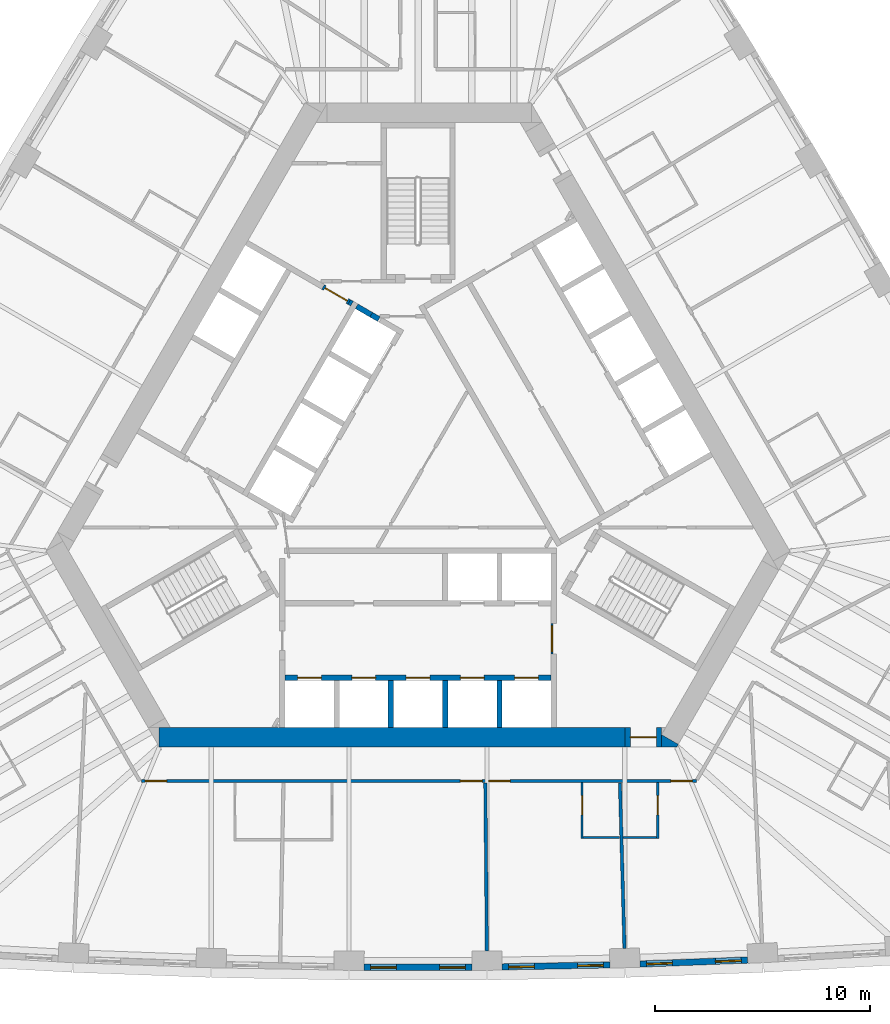
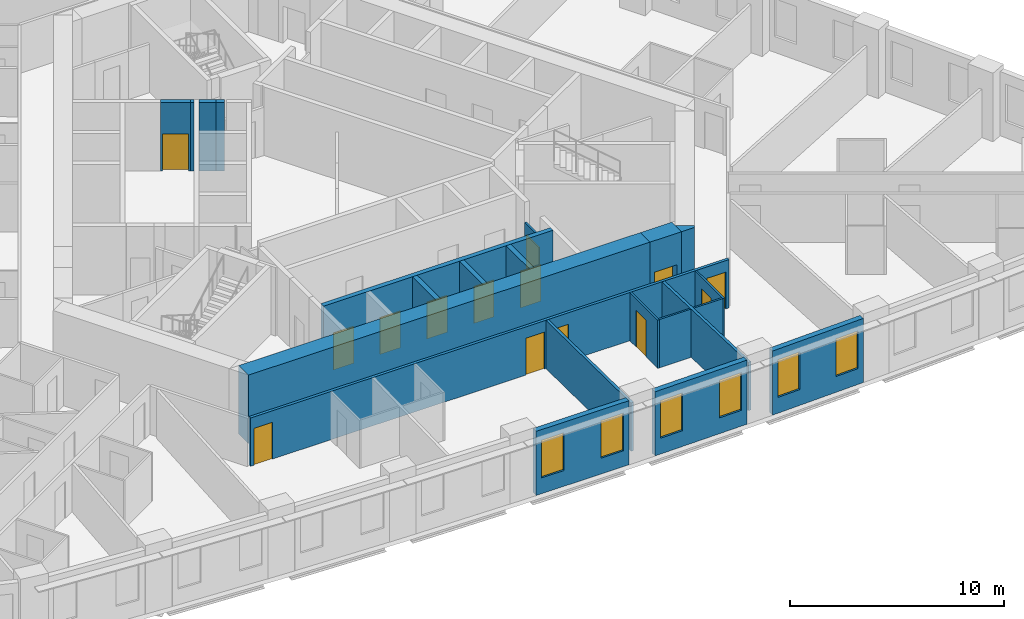
# One storey, part 6 of 13: 22 walls, 14 doors, 6 windows, 20 openings.
"""IFC4 building model written with IfcOpenShell, lengths in metres."""

from ifc_helpers import new_model, si_unit, direction, frame, frame_2d, origin, place, context, subcontext, project, spatial, polyline, rectangle, outline, extrude, material, layer, layer_set, type_object, element, fill, save


model = new_model("IFC4")

# Units and contexts
model_context = context("Model", 3, precision=1e-05, world=origin(), true_north=direction((0.0, 1.0)))
body_context = subcontext(model_context, "Body", "Model", "MODEL_VIEW")
ifc_project = project(units=[si_unit("LENGTHUNIT", "METRE"), si_unit("AREAUNIT", "SQUARE_METRE"), si_unit("VOLUMEUNIT", "CUBIC_METRE"), si_unit("PLANEANGLEUNIT", "RADIAN"), si_unit("MASSUNIT", "GRAM", prefix="KILO")], contexts=[model_context])

# Site, building, storey
site_placement = place(None, origin())
site = spatial("IfcSite", under=ifc_project, at=site_placement, CompositionType="ELEMENT")
building_placement = place(site_placement, origin())
building = spatial("IfcBuilding", under=site, at=building_placement, Name="Mestral Congress Tower", CompositionType="ELEMENT")
storey_placement = place(building_placement, frame((0.0, 0.0, 54.89990234375)))
storey = spatial("IfcBuildingStorey", under=building, at=storey_placement, Name="L12", CompositionType="ELEMENT", Elevation=54.89990234375)

# Wall, opening, door
ifc_material_1 = material(Name="Fire-rated board partition")
ifc_layer_1 = layer(ifc_material_1, 0.090087890625)
ifc_layer_set_1 = layer_set([ifc_layer_1], Name="Fire-rated board partition")
wall_type_1 = type_object("IfcWallType", Name="Core partition 150 door-wall 90", PredefinedType="PARTITIONING", material=ifc_layer_set_1)
wall_1_placement = place(storey_placement, frame((6.219970703125, -7.266357421875, 0.0), z_axis=(0.0, 0.0, 1.0), x_axis=(0.0, -1.0, 0.0)))
wall_1 = element("IfcWall", 1, at=wall_1_placement, inside=storey, type_object=wall_type_1, Name="L12 door wall", PredefinedType="PARTITIONING", context=body_context, shape_type="SweptSolid", body=[
    extrude(rectangle(XDim=1.400146484375, YDim=0.090087890625, at=frame_2d((0.7001953125, 0.0))), origin(), (0.0, 0.0, 1.0), 2.75),
])
opening_1_placement = place(wall_1_placement, frame((0.10009765625, 0.0, 0.0)))
opening_1 = element("IfcOpeningElement", 2, at=opening_1_placement, cuts=wall_1, Name="Opening LB0-WL1", PredefinedType="OPENING", context=body_context, shape_type="SweptSolid", body=[
    extrude(rectangle(XDim=1.199951171875, YDim=2.10009765625, at=frame_2d((0.60009765625, 1.050048828125))), frame((0.0, 0.054931640625, 0.0), z_axis=(0.0, -1.0, 0.0), x_axis=(1.0, 0.0, 0.0)), (0.0, 0.0, 1.0), 0.110107421875),
])
ifc_material_2 = material(Name="Fire-rated steel door set", Category="steel")
door_type_1 = type_object("IfcDoorType", Name="Core door LB 1200x2100", OperationType="SINGLE_SWING_LEFT", PredefinedType="DOOR", material=ifc_material_2)
door_1_placement = place(opening_1_placement, origin())
door_1 = element("IfcDoor", 3, at=door_1_placement, inside=storey, type_object=door_type_1, Name="Door LB0-WL1", OperationType="SINGLE_SWING_LEFT", OverallHeight=2.10009765625, OverallWidth=1.199951171875, PredefinedType="DOOR", context=body_context, shape_type="SweptSolid", body=[
    extrude(rectangle(XDim=1.199951171875, YDim=2.10009765625, at=frame_2d((0.60009765625, 1.050048828125))), frame((0.0, 0.02490234375, 0.0), z_axis=(0.0, -1.0, 0.0), x_axis=(1.0, 0.0, 0.0)), (0.0, 0.0, 1.0), 0.050048828125),
])
fill(opening_1, door_1)

# Walls
ifc_material_3 = material(Name="Concrete C60/75", Category="concrete")
ifc_layer_2 = layer(ifc_material_3, 0.89990234375)
ifc_layer_set_2 = layer_set([ifc_layer_2], Name="Concrete C60/75")
wall_type_2 = type_object("IfcWallType", Name="Core wall RC 900", PredefinedType="SOLIDWALL", material=ifc_layer_set_2)
placement = place(storey_placement, origin())
element("IfcWall", 4, at=placement, inside=storey, type_object=wall_type_2, Name="L12 core wall", PredefinedType="SOLIDWALL", context=body_context, shape_type="SweptSolid", body=[
    extrude(outline(polyline([(12.0087890625, -13.0), (11.31201171875, -13.0), (11.31201171875, -12.425048828125), (12.08349609375, -12.87060546875), (12.0087890625, -13.0)])), origin(), (0.0, 0.0, 1.0), 3.900146484375),
])
wall_3_placement = place(storey_placement, frame((-12.0185546875, -12.550048828125, 0.0), z_axis=(0.0, 0.0, 1.0), x_axis=(1.0, 0.0, 0.0)))
element("IfcWall", 5, at=wall_3_placement, inside=storey, type_object=wall_type_2, Name="L12 core wall", PredefinedType="SOLIDWALL", context=body_context, shape_type="SweptSolid", body=[
    extrude(rectangle(XDim=21.63037109375, YDim=0.89990234375, at=frame_2d((10.815185546875, 0.0))), origin(), (0.0, 0.0, 1.0), 3.900146484375),
])

# Wall, opening, door
wall_4_placement = place(storey_placement, frame((11.311767578125, -12.550048828125, 0.0), z_axis=(0.0, 0.0, 1.0), x_axis=(-1.0, 0.0, 0.0)))
wall_4 = element("IfcWall", 6, at=wall_4_placement, inside=storey, type_object=wall_type_2, Name="L12 door wall", PredefinedType="SOLIDWALL", context=body_context, shape_type="SweptSolid", body=[
    extrude(rectangle(XDim=1.699951171875, YDim=0.89990234375, at=frame_2d((0.85009765625, 0.0))), origin(), (0.0, 0.0, 1.0), 3.900146484375),
])
opening_2_placement = place(wall_4_placement, frame((0.25, 0.0, 0.0)))
opening_2 = element("IfcOpeningElement", 7, at=opening_2_placement, cuts=wall_4, Name="Opening XD1", PredefinedType="OPENING", context=body_context, shape_type="SweptSolid", body=[
    extrude(rectangle(XDim=1.199951171875, YDim=2.10009765625, at=frame_2d((0.60009765625, 1.050048828125))), frame((0.0, 0.4599609375, 0.0), z_axis=(0.0, -1.0, 0.0), x_axis=(1.0, 0.0, 0.0)), (0.0, 0.0, 1.0), 0.919921875),
])
door_type_2 = type_object("IfcDoorType", Name="Core door XD 1200x2100", OperationType="SINGLE_SWING_LEFT", PredefinedType="DOOR", material=ifc_material_2)
door_2_placement = place(opening_2_placement, origin())
door_2 = element("IfcDoor", 8, at=door_2_placement, inside=storey, type_object=door_type_2, Name="Door XD1", OperationType="SINGLE_SWING_LEFT", OverallHeight=2.10009765625, OverallWidth=1.199951171875, PredefinedType="DOOR", context=body_context, shape_type="SweptSolid", body=[
    extrude(rectangle(XDim=1.199951171875, YDim=2.10009765625, at=frame_2d((0.60009765625, 1.050048828125))), frame((0.0, 0.02490234375, 0.0), z_axis=(0.0, -1.0, 0.0), x_axis=(1.0, 0.0, 0.0)), (0.0, 0.0, 1.0), 0.050048828125),
])
fill(opening_2, door_2)

# Wall, openings, windows
ifc_material_4 = material(Name="Precast concrete C40/50 with limestone facing", Category="masonry")
ifc_layer_3 = layer(ifc_material_4, 0.2900390625)
ifc_layer_set_3 = layer_set([ifc_layer_3], Name="Precast concrete C40/50 with limestone facing")
wall_type_3 = type_object("IfcWallType", Name="Facade stone wall 290", PredefinedType="SOLIDWALL", material=ifc_layer_set_3)
wall_5_placement = place(storey_placement, frame((-2.4990234375, -23.21826171875, 0.0), z_axis=(0.0, 0.0, 1.0), x_axis=(1.0, 0.0, 0.0)))
wall_5 = element("IfcWall", 9, at=wall_5_placement, inside=storey, type_object=wall_type_3, Name="Facade wall F0-04", PredefinedType="SOLIDWALL", context=body_context, shape_type="SweptSolid", body=[
    extrude(rectangle(XDim=4.998046875, YDim=0.2900390625, at=frame_2d((2.4990234375, 0.0))), origin(), (0.0, 0.0, 1.0), 3.650146484375),
])
opening_3_placement = place(wall_5_placement, frame((0.297119140625, 0.0, 0.89990234375)))
opening_3 = element("IfcOpeningElement", 10, at=opening_3_placement, cuts=wall_5, Name="Opening W1", PredefinedType="OPENING", context=body_context, shape_type="SweptSolid", body=[
    extrude(rectangle(XDim=1.199951171875, YDim=2.14990234375, at=frame_2d((0.60009765625, 1.074951171875))), frame((0.0, 0.155029296875, 0.0), z_axis=(0.0, -1.0, 0.0), x_axis=(1.0, 0.0, 0.0)), (0.0, 0.0, 1.0), 0.31005859375),
])
opening_4_placement = place(wall_5_placement, frame((3.501220703125, 0.0, 0.89990234375)))
opening_4 = element("IfcOpeningElement", 11, at=opening_4_placement, cuts=wall_5, Name="Opening W1", PredefinedType="OPENING", context=body_context, shape_type="SweptSolid", body=[
    extrude(rectangle(XDim=1.199951171875, YDim=2.14990234375, at=frame_2d((0.60009765625, 1.074951171875))), frame((0.0, 0.155029296875, 0.0), z_axis=(0.0, -1.0, 0.0), x_axis=(1.0, 0.0, 0.0)), (0.0, 0.0, 1.0), 0.31005859375),
])
ifc_material_5 = material(Name="Clear low-emissivity double glazing", Category="glass")
window_type = type_object("IfcWindowType", Name="Facade punched window 1200 x 2150 sill 900", PartitioningType="DOUBLE_PANEL_VERTICAL", PredefinedType="WINDOW", material=ifc_material_5)
window_1_placement = place(opening_3_placement, origin())
window_1 = element("IfcWindow", 12, at=window_1_placement, inside=storey, type_object=window_type, Name="Window F0-04a", OverallHeight=2.14990234375, OverallWidth=1.199951171875, PartitioningType="DOUBLE_PANEL_VERTICAL", PredefinedType="WINDOW", context=body_context, shape_type="SweptSolid", body=[
    extrude(rectangle(XDim=1.199951171875, YDim=2.14990234375, at=frame_2d((0.60009765625, 1.074951171875))), frame((0.0, 0.01513671875, 0.0), z_axis=(0.0, -1.0, 0.0), x_axis=(1.0, 0.0, 0.0)), (0.0, 0.0, 1.0), 0.06005859375),
])
fill(opening_3, window_1)
window_2_placement = place(opening_4_placement, origin())
window_2 = element("IfcWindow", 13, at=window_2_placement, inside=storey, type_object=window_type, Name="Window F0-04b", OverallHeight=2.14990234375, OverallWidth=1.199951171875, PartitioningType="DOUBLE_PANEL_VERTICAL", PredefinedType="WINDOW", context=body_context, shape_type="SweptSolid", body=[
    extrude(rectangle(XDim=1.199951171875, YDim=2.14990234375, at=frame_2d((0.60009765625, 1.074951171875))), frame((0.0, 0.01513671875, 0.0), z_axis=(0.0, -1.0, 0.0), x_axis=(1.0, 0.0, 0.0)), (0.0, 0.0, 1.0), 0.06005859375),
])
fill(opening_4, window_2)

wall_6_placement = place(storey_placement, frame((3.90625, -23.205078125, 0.0), z_axis=(0.0, 0.0, 1.0), x_axis=(0.999829529479, 0.018463801951, 0.0)))
wall_6 = element("IfcWall", 14, at=wall_6_placement, inside=storey, type_object=wall_type_3, Name="Facade wall F0-05", PredefinedType="SOLIDWALL", context=body_context, shape_type="SweptSolid", body=[
    extrude(rectangle(XDim=4.998046875, YDim=0.2900390625, at=frame_2d((2.4990234375, 0.0))), origin(), (0.0, 0.0, 1.0), 3.650146484375),
])
opening_5_placement = place(wall_6_placement, frame((0.297119140625, 0.0, 0.89990234375)))
opening_5 = element("IfcOpeningElement", 15, at=opening_5_placement, cuts=wall_6, Name="Opening W1", PredefinedType="OPENING", context=body_context, shape_type="SweptSolid", body=[
    extrude(rectangle(XDim=1.199951171875, YDim=2.14990234375, at=frame_2d((0.60009765625, 1.074951171875))), frame((0.0, 0.155029296875, 0.0), z_axis=(0.0, -1.0, 0.0), x_axis=(1.0, 0.0, 0.0)), (0.0, 0.0, 1.0), 0.31005859375),
])
opening_6_placement = place(wall_6_placement, frame((3.501220703125, 0.0, 0.89990234375)))
opening_6 = element("IfcOpeningElement", 16, at=opening_6_placement, cuts=wall_6, Name="Opening W1", PredefinedType="OPENING", context=body_context, shape_type="SweptSolid", body=[
    extrude(rectangle(XDim=1.199951171875, YDim=2.14990234375, at=frame_2d((0.60009765625, 1.074951171875))), frame((0.0, 0.155029296875, 0.0), z_axis=(0.0, -1.0, 0.0), x_axis=(1.0, 0.0, 0.0)), (0.0, 0.0, 1.0), 0.31005859375),
])
window_3_placement = place(opening_5_placement, origin())
window_3 = element("IfcWindow", 17, at=window_3_placement, inside=storey, type_object=window_type, Name="Window F0-05a", OverallHeight=2.14990234375, OverallWidth=1.199951171875, PartitioningType="DOUBLE_PANEL_VERTICAL", PredefinedType="WINDOW", context=body_context, shape_type="SweptSolid", body=[
    extrude(rectangle(XDim=1.199951171875, YDim=2.14990234375, at=frame_2d((0.60009765625, 1.074951171875))), frame((0.0, 0.01513671875, 0.0), z_axis=(0.0, -1.0, 0.0), x_axis=(1.0, 0.0, 0.0)), (0.0, 0.0, 1.0), 0.06005859375),
])
fill(opening_5, window_3)
window_4_placement = place(opening_6_placement, origin())
window_4 = element("IfcWindow", 18, at=window_4_placement, inside=storey, type_object=window_type, Name="Window F0-05b", OverallHeight=2.14990234375, OverallWidth=1.199951171875, PartitioningType="DOUBLE_PANEL_VERTICAL", PredefinedType="WINDOW", context=body_context, shape_type="SweptSolid", body=[
    extrude(rectangle(XDim=1.199951171875, YDim=2.14990234375, at=frame_2d((0.60009765625, 1.074951171875))), frame((0.0, 0.01513671875, 0.0), z_axis=(0.0, -1.0, 0.0), x_axis=(1.0, 0.0, 0.0)), (0.0, 0.0, 1.0), 0.06005859375),
])
fill(opening_6, window_4)

wall_7_placement = place(storey_placement, frame((10.310302734375, -23.07373046875, 0.0), z_axis=(0.0, 0.0, 1.0), x_axis=(0.999317974969, 0.036926750529, 0.0)))
wall_7 = element("IfcWall", 19, at=wall_7_placement, inside=storey, type_object=wall_type_3, Name="Facade wall F0-06", PredefinedType="SOLIDWALL", context=body_context, shape_type="SweptSolid", body=[
    extrude(rectangle(XDim=4.998291015625, YDim=0.2900390625, at=frame_2d((2.4990234375, 0.0))), origin(), (0.0, 0.0, 1.0), 3.650146484375),
])
opening_7_placement = place(wall_7_placement, frame((0.297119140625, 0.0, 0.89990234375)))
opening_7 = element("IfcOpeningElement", 20, at=opening_7_placement, cuts=wall_7, Name="Opening W1", PredefinedType="OPENING", context=body_context, shape_type="SweptSolid", body=[
    extrude(rectangle(XDim=1.199951171875, YDim=2.14990234375, at=frame_2d((0.60009765625, 1.074951171875))), frame((0.0, 0.155029296875, 0.0), z_axis=(0.0, -1.0, 0.0), x_axis=(1.0, 0.0, 0.0)), (0.0, 0.0, 1.0), 0.31005859375),
])
opening_8_placement = place(wall_7_placement, frame((3.501220703125, 0.0, 0.89990234375)))
opening_8 = element("IfcOpeningElement", 21, at=opening_8_placement, cuts=wall_7, Name="Opening W1", PredefinedType="OPENING", context=body_context, shape_type="SweptSolid", body=[
    extrude(rectangle(XDim=1.199951171875, YDim=2.14990234375, at=frame_2d((0.60009765625, 1.074951171875))), frame((0.0, 0.155029296875, 0.0), z_axis=(0.0, -1.0, 0.0), x_axis=(1.0, 0.0, 0.0)), (0.0, 0.0, 1.0), 0.31005859375),
])
window_5_placement = place(opening_7_placement, origin())
window_5 = element("IfcWindow", 22, at=window_5_placement, inside=storey, type_object=window_type, Name="Window F0-06a", OverallHeight=2.14990234375, OverallWidth=1.199951171875, PartitioningType="DOUBLE_PANEL_VERTICAL", PredefinedType="WINDOW", context=body_context, shape_type="SweptSolid", body=[
    extrude(rectangle(XDim=1.199951171875, YDim=2.14990234375, at=frame_2d((0.60009765625, 1.074951171875))), frame((0.0, 0.01513671875, 0.0), z_axis=(0.0, -1.0, 0.0), x_axis=(1.0, 0.0, 0.0)), (0.0, 0.0, 1.0), 0.06005859375),
])
fill(opening_7, window_5)
window_6_placement = place(opening_8_placement, origin())
window_6 = element("IfcWindow", 23, at=window_6_placement, inside=storey, type_object=window_type, Name="Window F0-06b", OverallHeight=2.14990234375, OverallWidth=1.199951171875, PartitioningType="DOUBLE_PANEL_VERTICAL", PredefinedType="WINDOW", context=body_context, shape_type="SweptSolid", body=[
    extrude(rectangle(XDim=1.199951171875, YDim=2.14990234375, at=frame_2d((0.60009765625, 1.074951171875))), frame((0.0, 0.01513671875, 0.0), z_axis=(0.0, -1.0, 0.0), x_axis=(1.0, 0.0, 0.0)), (0.0, 0.0, 1.0), 0.06005859375),
])
fill(opening_8, window_6)

# Wall, opening, door
ifc_material_6 = material(Name="Gypsum board partition on metal studs with mineral wool", Category="composite")
ifc_layer_4 = layer(ifc_material_6, 0.10009765625)
ifc_layer_set_4 = layer_set([ifc_layer_4], Name="Gypsum board partition on metal studs with mineral wool")
wall_type_4 = type_object("IfcWallType", Name="Hotel partition wall 100", PredefinedType="PARTITIONING", material=ifc_layer_set_4)
wall_8_placement = place(storey_placement, frame((7.619140625, -14.64990234375, 0.0), z_axis=(0.0, 0.0, 1.0), x_axis=(0.0, -1.0, 0.0)))
wall_8 = element("IfcWall", 24, at=wall_8_placement, inside=storey, type_object=wall_type_4, Name="L12-h-pod05a", PredefinedType="PARTITIONING", context=body_context, shape_type="SweptSolid", body=[
    extrude(rectangle(XDim=2.60009765625, YDim=0.10009765625, at=frame_2d((1.300048828125, 0.0))), origin(), (0.0, 0.0, 1.0), 2.75),
])
opening_9_placement = place(wall_8_placement, frame((0.60009765625, 0.0, 0.0)))
opening_9 = element("IfcOpeningElement", 25, at=opening_9_placement, cuts=wall_8, Name="Opening H03-010", PredefinedType="OPENING", context=body_context, shape_type="SweptSolid", body=[
    extrude(rectangle(XDim=0.89990234375, YDim=2.10009765625, at=frame_2d((0.449951171875, 1.050048828125))), frame((0.0, 0.06005859375, 0.0), z_axis=(0.0, -1.0, 0.0), x_axis=(1.0, 0.0, 0.0)), (0.0, 0.0, 1.0), 0.1201171875),
])
ifc_material_7 = material(Name="Timber veneer door leaf in timber frame", Category="wood")
door_type_3 = type_object("IfcDoorType", Name="Bathroom door 900", OperationType="SINGLE_SWING_LEFT", PredefinedType="DOOR", material=ifc_material_7)
door_3_placement = place(opening_9_placement, origin())
door_3 = element("IfcDoor", 26, at=door_3_placement, inside=storey, type_object=door_type_3, Name="L12-h-d010", OperationType="SINGLE_SWING_LEFT", OverallHeight=2.10009765625, OverallWidth=0.89990234375, PredefinedType="DOOR", context=body_context, shape_type="SweptSolid", body=[
    extrude(rectangle(XDim=0.89990234375, YDim=2.10009765625, at=frame_2d((0.449951171875, 1.050048828125))), frame((0.0, 0.02490234375, 0.0), z_axis=(0.0, -1.0, 0.0), x_axis=(1.0, 0.0, 0.0)), (0.0, 0.0, 1.0), 0.050048828125),
])
fill(opening_9, door_3)

# Wall
wall_9_placement = place(storey_placement, frame((7.669189453125, -17.199951171875, 0.0), z_axis=(0.0, 0.0, 1.0), x_axis=(1.0, 0.0, 0.0)))
element("IfcWall", 27, at=wall_9_placement, inside=storey, type_object=wall_type_4, Name="L12-h-pod05b", PredefinedType="PARTITIONING", context=body_context, shape_type="SweptSolid", body=[
    extrude(rectangle(XDim=1.68994140625, YDim=0.10009765625, at=frame_2d((0.844970703125, 0.0))), origin(), (0.0, 0.0, 1.0), 2.75),
])

# Wall, opening, door
wall_10_placement = place(storey_placement, frame((11.126708984375, -17.25, 0.0), z_axis=(0.0, 0.0, 1.0), x_axis=(0.0, 1.0, 0.0)))
wall_10 = element("IfcWall", 28, at=wall_10_placement, inside=storey, type_object=wall_type_4, Name="L12-h-pod06a", PredefinedType="PARTITIONING", context=body_context, shape_type="SweptSolid", body=[
    extrude(rectangle(XDim=2.60009765625, YDim=0.10009765625, at=frame_2d((1.300048828125, 0.0))), origin(), (0.0, 0.0, 1.0), 2.75),
])
opening_10_placement = place(wall_10_placement, frame((1.10009765625, 0.0, 0.0)))
opening_10 = element("IfcOpeningElement", 29, at=opening_10_placement, cuts=wall_10, Name="Opening H03-012", PredefinedType="OPENING", context=body_context, shape_type="SweptSolid", body=[
    extrude(rectangle(XDim=0.89990234375, YDim=2.10009765625, at=frame_2d((0.449951171875, 1.050048828125))), frame((0.0, 0.06005859375, 0.0), z_axis=(0.0, -1.0, 0.0), x_axis=(1.0, 0.0, 0.0)), (0.0, 0.0, 1.0), 0.1201171875),
])
door_4_placement = place(opening_10_placement, origin())
door_4 = element("IfcDoor", 30, at=door_4_placement, inside=storey, type_object=door_type_3, Name="L12-h-d012", OperationType="SINGLE_SWING_RIGHT", OverallHeight=2.10009765625, OverallWidth=0.89990234375, PredefinedType="DOOR", context=body_context, shape_type="SweptSolid", body=[
    extrude(rectangle(XDim=0.89990234375, YDim=2.10009765625, at=frame_2d((0.449951171875, 1.050048828125))), frame((0.0, 0.02490234375, 0.0), z_axis=(0.0, -1.0, 0.0), x_axis=(1.0, 0.0, 0.0)), (0.0, 0.0, 1.0), 0.050048828125),
])
fill(opening_10, door_4)

# Wall
wall_11_placement = place(storey_placement, frame((11.07666015625, -17.199951171875, 0.0), z_axis=(0.0, 0.0, 1.0), x_axis=(-1.0, 0.0, 0.0)))
element("IfcWall", 31, at=wall_11_placement, inside=storey, type_object=wall_type_4, Name="L12-h-pod06b", PredefinedType="PARTITIONING", context=body_context, shape_type="SweptSolid", body=[
    extrude(rectangle(XDim=1.550048828125, YDim=0.10009765625, at=frame_2d((0.77490234375, 0.0))), origin(), (0.0, 0.0, 1.0), 2.75),
])

# Wall, openings, doors
ifc_layer_5 = layer(ifc_material_6, 0.14990234375)
ifc_layer_set_5 = layer_set([ifc_layer_5], Name="Gypsum board partition on metal studs with mineral wool")
wall_type_5 = type_object("IfcWallType", Name="Hotel partition wall 150", PredefinedType="PARTITIONING", material=ifc_layer_set_5)
wall_12_placement = place(storey_placement, frame((12.918212890625, -14.574951171875, 0.0), z_axis=(0.0, 0.0, 1.0), x_axis=(-1.0, 0.0, 0.0)))
wall_12 = element("IfcWall", 32, at=wall_12_placement, inside=storey, type_object=wall_type_5, Name="L12-h-cw13", PredefinedType="PARTITIONING", context=body_context, shape_type="SweptSolid", body=[
    extrude(rectangle(XDim=25.766357421875, YDim=0.14990234375, at=frame_2d((12.88330078125, 0.0))), origin(), (0.0, 0.0, 1.0), 2.75),
])
opening_11_placement = place(wall_12_placement, frame((24.58642578125, 0.0, 0.0)))
opening_11 = element("IfcOpeningElement", 33, at=opening_11_placement, cuts=wall_12, Name="Opening H03-005", PredefinedType="OPENING", context=body_context, shape_type="SweptSolid", body=[
    extrude(rectangle(XDim=1.0, YDim=2.10009765625, at=frame_2d((0.5, 1.050048828125))), frame((0.0, 0.0849609375, 0.0), z_axis=(0.0, -1.0, 0.0), x_axis=(1.0, 0.0, 0.0)), (0.0, 0.0, 1.0), 0.169921875),
])
opening_12_placement = place(wall_12_placement, frame((9.947998046875, 0.0, 0.0)))
opening_12 = element("IfcOpeningElement", 34, at=opening_12_placement, cuts=wall_12, Name="Opening H03-007", PredefinedType="OPENING", context=body_context, shape_type="SweptSolid", body=[
    extrude(rectangle(XDim=1.0, YDim=2.10009765625, at=frame_2d((0.5, 1.050048828125))), frame((0.0, 0.0849609375, 0.0), z_axis=(0.0, -1.0, 0.0), x_axis=(1.0, 0.0, 0.0)), (0.0, 0.0, 1.0), 0.169921875),
])
opening_13_placement = place(wall_12_placement, frame((8.6416015625, 0.0, 0.0)))
opening_13 = element("IfcOpeningElement", 35, at=opening_13_placement, cuts=wall_12, Name="Opening H03-009", PredefinedType="OPENING", context=body_context, shape_type="SweptSolid", body=[
    extrude(rectangle(XDim=1.0, YDim=2.10009765625, at=frame_2d((0.5, 1.050048828125))), frame((0.0, 0.0849609375, 0.0), z_axis=(0.0, -1.0, 0.0), x_axis=(1.0, 0.0, 0.0)), (0.0, 0.0, 1.0), 0.169921875),
])
opening_14_placement = place(wall_12_placement, frame((0.179931640625, 0.0, 0.0)))
opening_14 = element("IfcOpeningElement", 36, at=opening_14_placement, cuts=wall_12, Name="Opening H03-011", PredefinedType="OPENING", context=body_context, shape_type="SweptSolid", body=[
    extrude(rectangle(XDim=1.0, YDim=2.10009765625, at=frame_2d((0.5, 1.050048828125))), frame((0.0, 0.0849609375, 0.0), z_axis=(0.0, -1.0, 0.0), x_axis=(1.0, 0.0, 0.0)), (0.0, 0.0, 1.0), 0.169921875),
])
ifc_material_8 = material(Name="Timber veneer door leaf in metal frame", Category="wood")
door_type_4 = type_object("IfcDoorType", Name="Guest room entrance door 1000", OperationType="SINGLE_SWING_LEFT", PredefinedType="DOOR", material=ifc_material_8)
door_5_placement = place(opening_11_placement, origin())
door_5 = element("IfcDoor", 37, at=door_5_placement, inside=storey, type_object=door_type_4, Name="L12-h-d005", OperationType="SINGLE_SWING_RIGHT", OverallHeight=2.10009765625, OverallWidth=1.0, PredefinedType="DOOR", context=body_context, shape_type="SweptSolid", body=[
    extrude(rectangle(XDim=1.0, YDim=2.10009765625, at=frame_2d((0.5, 1.050048828125))), frame((0.0, 0.02490234375, 0.0), z_axis=(0.0, -1.0, 0.0), x_axis=(1.0, 0.0, 0.0)), (0.0, 0.0, 1.0), 0.050048828125),
])
fill(opening_11, door_5)
door_6_placement = place(opening_12_placement, origin())
door_6 = element("IfcDoor", 38, at=door_6_placement, inside=storey, type_object=door_type_4, Name="L12-h-d007", OperationType="SINGLE_SWING_LEFT", OverallHeight=2.10009765625, OverallWidth=1.0, PredefinedType="DOOR", context=body_context, shape_type="SweptSolid", body=[
    extrude(rectangle(XDim=1.0, YDim=2.10009765625, at=frame_2d((0.5, 1.050048828125))), frame((0.0, 0.02490234375, 0.0), z_axis=(0.0, -1.0, 0.0), x_axis=(1.0, 0.0, 0.0)), (0.0, 0.0, 1.0), 0.050048828125),
])
fill(opening_12, door_6)
door_7_placement = place(opening_13_placement, origin())
door_7 = element("IfcDoor", 39, at=door_7_placement, inside=storey, type_object=door_type_4, Name="L12-h-d009", OperationType="SINGLE_SWING_RIGHT", OverallHeight=2.10009765625, OverallWidth=1.0, PredefinedType="DOOR", context=body_context, shape_type="SweptSolid", body=[
    extrude(rectangle(XDim=1.0, YDim=2.10009765625, at=frame_2d((0.5, 1.050048828125))), frame((0.0, 0.02490234375, 0.0), z_axis=(0.0, -1.0, 0.0), x_axis=(1.0, 0.0, 0.0)), (0.0, 0.0, 1.0), 0.050048828125),
])
fill(opening_13, door_7)
door_8_placement = place(opening_14_placement, origin())
door_8 = element("IfcDoor", 40, at=door_8_placement, inside=storey, type_object=door_type_4, Name="L12-h-d011", OperationType="SINGLE_SWING_LEFT", OverallHeight=2.10009765625, OverallWidth=1.0, PredefinedType="DOOR", context=body_context, shape_type="SweptSolid", body=[
    extrude(rectangle(XDim=1.0, YDim=2.10009765625, at=frame_2d((0.5, 1.050048828125))), frame((0.0, 0.02490234375, 0.0), z_axis=(0.0, -1.0, 0.0), x_axis=(1.0, 0.0, 0.0)), (0.0, 0.0, 1.0), 0.050048828125),
])
fill(opening_14, door_8)

# Walls
wall_13_placement = place(storey_placement, frame((3.19580078125, -22.463134765625, 0.0), z_axis=(0.0, 0.0, 1.0), x_axis=(-0.00926060032, 0.999957119721, 0.0)))
element("IfcWall", 41, at=wall_13_placement, inside=storey, type_object=wall_type_5, Name="L12-h-pw17", PredefinedType="PARTITIONING", context=body_context, shape_type="SweptSolid", body=[
    extrude(rectangle(XDim=7.803466796875, YDim=0.14990234375, at=frame_2d((3.90185546875, 0.0))), origin(), (0.0, 0.0, 1.0), 2.75),
])
wall_14_placement = place(storey_placement, frame((9.586181640625, -22.34521484375, 0.0), z_axis=(0.0, 0.0, 1.0), x_axis=(-0.027722115646, 0.999615668297, 0.0)))
element("IfcWall", 42, at=wall_14_placement, inside=storey, type_object=wall_type_5, Name="L12-h-pw19", PredefinedType="PARTITIONING", context=body_context, shape_type="SweptSolid", body=[
    extrude(rectangle(XDim=7.688232421875, YDim=0.14990234375, at=frame_2d((3.84423828125, 0.0))), origin(), (0.0, 0.0, 1.0), 2.75),
])
ifc_layer_6 = layer(ifc_material_3, 0.25)
ifc_layer_set_6 = layer_set([ifc_layer_6], Name="Concrete C60/75")
wall_type_6 = type_object("IfcWallType", Name="Shaft wall RC 250", PredefinedType="SOLIDWALL", material=ifc_layer_set_6)
for number, where, z_axis, x_axis, name in (
    (43, (3.780029296875, -12.10009765625, 0.0), (0.0, 0.0, 1.0), (0.0, 1.0, 0.0), "L12 core wall"),
    (44, (1.260009765625, -12.10009765625, 0.0), (0.0, 0.0, 1.0), (0.0, 1.0, 0.0), "L12 core wall"),
    (45, (-1.260009765625, -12.10009765625, 0.0), (0.0, 0.0, 1.0), (0.0, 1.0, 0.0), "L12 core wall"),
):
    element("IfcWall", number, at=place(storey_placement, frame(where, z_axis=z_axis, x_axis=x_axis)), inside=storey, type_object=wall_type_6, Name=name, PredefinedType="SOLIDWALL", context=body_context, shape_type="SweptSolid", body=[
        extrude(rectangle(XDim=2.199951171875, YDim=0.25, at=frame_2d((1.10009765625, 0.0))), origin(), (0.0, 0.0, 1.0), 3.900146484375),
    ])
wall_15_placement = place(storey_placement, frame((-1.818603515625, 6.869873046875, 0.0), z_axis=(0.0, 0.0, 1.0), x_axis=(-0.866294599386, 0.499533449405, 0.0)))
element("IfcWall", 46, at=wall_15_placement, inside=storey, type_object=wall_type_6, Name="L12 core wall", PredefinedType="SOLIDWALL", context=body_context, shape_type="SweptSolid", body=[
    extrude(rectangle(XDim=0.41015625, YDim=0.25, at=frame_2d((0.205078125, 0.0))), origin(), (0.0, 0.0, 1.0), 3.900146484375),
])
wall_16_placement = place(storey_placement, frame((-2.849365234375, 7.46484375, 0.0), z_axis=(0.0, 0.0, 1.0), x_axis=(0.865955664968, -0.500120771724, 0.0)))
element("IfcWall", 47, at=wall_16_placement, inside=storey, type_object=wall_type_6, Name="L12 core wall", PredefinedType="SOLIDWALL", context=body_context, shape_type="SweptSolid", body=[
    extrude(rectangle(XDim=0.778076171875, YDim=0.25, at=frame_2d((0.38916015625, 0.0))), origin(), (0.0, 0.0, 1.0), 3.900146484375),
])
element("IfcWall", 48, at=placement, inside=storey, type_object=wall_type_6, Name="L12 core wall", PredefinedType="SOLIDWALL", context=body_context, shape_type="SweptSolid", body=[
    extrude(outline(polyline([(-3.12841796875, 7.4814453125), (-3.2587890625, 7.556640625), (-3.1337890625, 7.773193359375), (-3.00341796875, 7.697998046875), (-3.12841796875, 7.4814453125)])), origin(), (0.0, 0.0, 1.0), 3.900146484375),
])

# Wall, openings, doors
wall_18_placement = place(storey_placement, frame((-6.175048828125, -9.77490234375, 0.0), z_axis=(0.0, 0.0, 1.0), x_axis=(1.0, 0.0, 0.0)))
wall_18 = element("IfcWall", 49, at=wall_18_placement, inside=storey, type_object=wall_type_6, Name="L12 door wall", PredefinedType="SOLIDWALL", context=body_context, shape_type="SweptSolid", body=[
    extrude(rectangle(XDim=12.35009765625, YDim=0.25, at=frame_2d((6.175048828125, 0.0))), origin(), (0.0, 0.0, 1.0), 3.900146484375),
])
opening_15_placement = place(wall_18_placement, frame((0.5849609375, 0.0, 0.0)))
opening_15 = element("IfcOpeningElement", 50, at=opening_15_placement, cuts=wall_18, Name="Opening LD-SOA1", PredefinedType="OPENING", context=body_context, shape_type="SweptSolid", body=[
    extrude(rectangle(XDim=1.10009765625, YDim=2.10009765625, at=frame_2d((0.550048828125, 1.050048828125))), frame((0.0, 0.135009765625, 0.0), z_axis=(0.0, -1.0, 0.0), x_axis=(1.0, 0.0, 0.0)), (0.0, 0.0, 1.0), 0.27001953125),
])
opening_16_placement = place(wall_18_placement, frame((3.10498046875, 0.0, 0.0)))
opening_16 = element("IfcOpeningElement", 51, at=opening_16_placement, cuts=wall_18, Name="Opening LD-SOA2", PredefinedType="OPENING", context=body_context, shape_type="SweptSolid", body=[
    extrude(rectangle(XDim=1.10009765625, YDim=2.10009765625, at=frame_2d((0.550048828125, 1.050048828125))), frame((0.0, 0.135009765625, 0.0), z_axis=(0.0, -1.0, 0.0), x_axis=(1.0, 0.0, 0.0)), (0.0, 0.0, 1.0), 0.27001953125),
])
opening_17_placement = place(wall_18_placement, frame((5.625, 0.0, 0.0)))
opening_17 = element("IfcOpeningElement", 52, at=opening_17_placement, cuts=wall_18, Name="Opening LD-SOA3", PredefinedType="OPENING", context=body_context, shape_type="SweptSolid", body=[
    extrude(rectangle(XDim=1.10009765625, YDim=2.10009765625, at=frame_2d((0.550048828125, 1.050048828125))), frame((0.0, 0.135009765625, 0.0), z_axis=(0.0, -1.0, 0.0), x_axis=(1.0, 0.0, 0.0)), (0.0, 0.0, 1.0), 0.27001953125),
])
opening_18_placement = place(wall_18_placement, frame((8.14501953125, 0.0, 0.0)))
opening_18 = element("IfcOpeningElement", 53, at=opening_18_placement, cuts=wall_18, Name="Opening LD-SOA4", PredefinedType="OPENING", context=body_context, shape_type="SweptSolid", body=[
    extrude(rectangle(XDim=1.10009765625, YDim=2.10009765625, at=frame_2d((0.550048828125, 1.050048828125))), frame((0.0, 0.135009765625, 0.0), z_axis=(0.0, -1.0, 0.0), x_axis=(1.0, 0.0, 0.0)), (0.0, 0.0, 1.0), 0.27001953125),
])
opening_19_placement = place(wall_18_placement, frame((10.6650390625, 0.0, 0.0)))
opening_19 = element("IfcOpeningElement", 54, at=opening_19_placement, cuts=wall_18, Name="Opening LD-SOA5", PredefinedType="OPENING", context=body_context, shape_type="SweptSolid", body=[
    extrude(rectangle(XDim=1.10009765625, YDim=2.10009765625, at=frame_2d((0.550048828125, 1.050048828125))), frame((0.0, 0.135009765625, 0.0), z_axis=(0.0, -1.0, 0.0), x_axis=(1.0, 0.0, 0.0)), (0.0, 0.0, 1.0), 0.27001953125),
])
door_type_5 = type_object("IfcDoorType", Name="Core door LD 1100x2100", OperationType="DOUBLE_DOOR_SLIDING", PredefinedType="DOOR", material=ifc_material_2)
door_9_placement = place(opening_15_placement, origin())
door_9 = element("IfcDoor", 55, at=door_9_placement, inside=storey, type_object=door_type_5, Name="Door LD-SOA1", OperationType="DOUBLE_DOOR_SLIDING", OverallHeight=2.10009765625, OverallWidth=1.10009765625, PredefinedType="DOOR", context=body_context, shape_type="SweptSolid", body=[
    extrude(rectangle(XDim=1.10009765625, YDim=2.10009765625, at=frame_2d((0.550048828125, 1.050048828125))), frame((0.0, 0.02490234375, 0.0), z_axis=(0.0, -1.0, 0.0), x_axis=(1.0, 0.0, 0.0)), (0.0, 0.0, 1.0), 0.050048828125),
])
fill(opening_15, door_9)
door_10_placement = place(opening_16_placement, origin())
door_10 = element("IfcDoor", 56, at=door_10_placement, inside=storey, type_object=door_type_5, Name="Door LD-SOA2", OperationType="DOUBLE_DOOR_SLIDING", OverallHeight=2.10009765625, OverallWidth=1.10009765625, PredefinedType="DOOR", context=body_context, shape_type="SweptSolid", body=[
    extrude(rectangle(XDim=1.10009765625, YDim=2.10009765625, at=frame_2d((0.550048828125, 1.050048828125))), frame((0.0, 0.02490234375, 0.0), z_axis=(0.0, -1.0, 0.0), x_axis=(1.0, 0.0, 0.0)), (0.0, 0.0, 1.0), 0.050048828125),
])
fill(opening_16, door_10)
door_11_placement = place(opening_17_placement, origin())
door_11 = element("IfcDoor", 57, at=door_11_placement, inside=storey, type_object=door_type_5, Name="Door LD-SOA3", OperationType="DOUBLE_DOOR_SLIDING", OverallHeight=2.10009765625, OverallWidth=1.10009765625, PredefinedType="DOOR", context=body_context, shape_type="SweptSolid", body=[
    extrude(rectangle(XDim=1.10009765625, YDim=2.10009765625, at=frame_2d((0.550048828125, 1.050048828125))), frame((0.0, 0.02490234375, 0.0), z_axis=(0.0, -1.0, 0.0), x_axis=(1.0, 0.0, 0.0)), (0.0, 0.0, 1.0), 0.050048828125),
])
fill(opening_17, door_11)
door_12_placement = place(opening_18_placement, origin())
door_12 = element("IfcDoor", 58, at=door_12_placement, inside=storey, type_object=door_type_5, Name="Door LD-SOA4", OperationType="DOUBLE_DOOR_SLIDING", OverallHeight=2.10009765625, OverallWidth=1.10009765625, PredefinedType="DOOR", context=body_context, shape_type="SweptSolid", body=[
    extrude(rectangle(XDim=1.10009765625, YDim=2.10009765625, at=frame_2d((0.550048828125, 1.050048828125))), frame((0.0, 0.02490234375, 0.0), z_axis=(0.0, -1.0, 0.0), x_axis=(1.0, 0.0, 0.0)), (0.0, 0.0, 1.0), 0.050048828125),
])
fill(opening_18, door_12)
door_13_placement = place(opening_19_placement, origin())
door_13 = element("IfcDoor", 59, at=door_13_placement, inside=storey, type_object=door_type_5, Name="Door LD-SOA5", OperationType="DOUBLE_DOOR_SLIDING", OverallHeight=2.10009765625, OverallWidth=1.10009765625, PredefinedType="DOOR", context=body_context, shape_type="SweptSolid", body=[
    extrude(rectangle(XDim=1.10009765625, YDim=2.10009765625, at=frame_2d((0.550048828125, 1.050048828125))), frame((0.0, 0.02490234375, 0.0), z_axis=(0.0, -1.0, 0.0), x_axis=(1.0, 0.0, 0.0)), (0.0, 0.0, 1.0), 0.050048828125),
])
fill(opening_19, door_13)

# Wall, opening, door
wall_19_placement = place(storey_placement, frame((-4.40869140625, 8.364990234375, 0.0), z_axis=(0.0, 0.0, 1.0), x_axis=(0.866034573852, -0.49998411664, 0.0)))
wall_19 = element("IfcWall", 60, at=wall_19_placement, inside=storey, type_object=wall_type_6, Name="L12 door wall", PredefinedType="SOLIDWALL", context=body_context, shape_type="SweptSolid", body=[
    extrude(rectangle(XDim=1.39990234375, YDim=0.25, at=frame_2d((0.699951171875, 0.0))), origin(), (0.0, 0.0, 1.0), 3.900146484375),
])
opening_20_placement = place(wall_19_placement, frame((0.10009765625, 0.0, 0.0)))
opening_20 = element("IfcOpeningElement", 61, at=opening_20_placement, cuts=wall_19, Name="Opening LB2-WL2", PredefinedType="OPENING", context=body_context, shape_type="SweptSolid", body=[
    extrude(rectangle(XDim=1.199951171875, YDim=2.10009765625, at=frame_2d((0.60009765625, 1.050048828125))), frame((0.0, 0.135009765625, 0.0), z_axis=(0.0, -1.0, 0.0), x_axis=(1.0, 0.0, 0.0)), (0.0, 0.0, 1.0), 0.27001953125),
])
door_14_placement = place(opening_20_placement, origin())
door_14 = element("IfcDoor", 62, at=door_14_placement, inside=storey, type_object=door_type_1, Name="Door LB2-WL2", OperationType="SINGLE_SWING_LEFT", OverallHeight=2.10009765625, OverallWidth=1.199951171875, PredefinedType="DOOR", context=body_context, shape_type="SweptSolid", body=[
    extrude(rectangle(XDim=1.199951171875, YDim=2.10009765625, at=frame_2d((0.60009765625, 1.050048828125))), frame((0.0, 0.02490234375, 0.0), z_axis=(0.0, -1.0, 0.0), x_axis=(1.0, 0.0, 0.0)), (0.0, 0.0, 1.0), 0.050048828125),
])
fill(opening_20, door_14)

save(model, "model.ifc")
